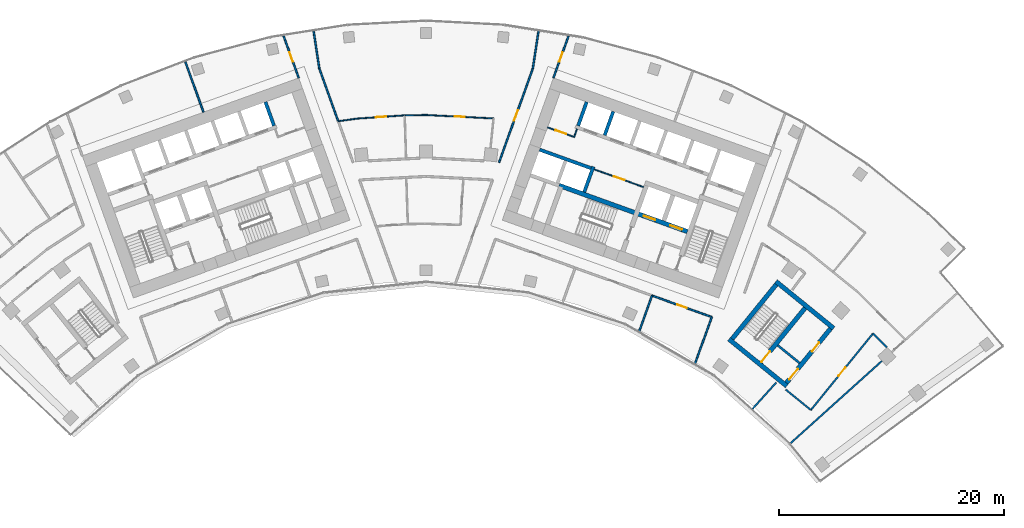
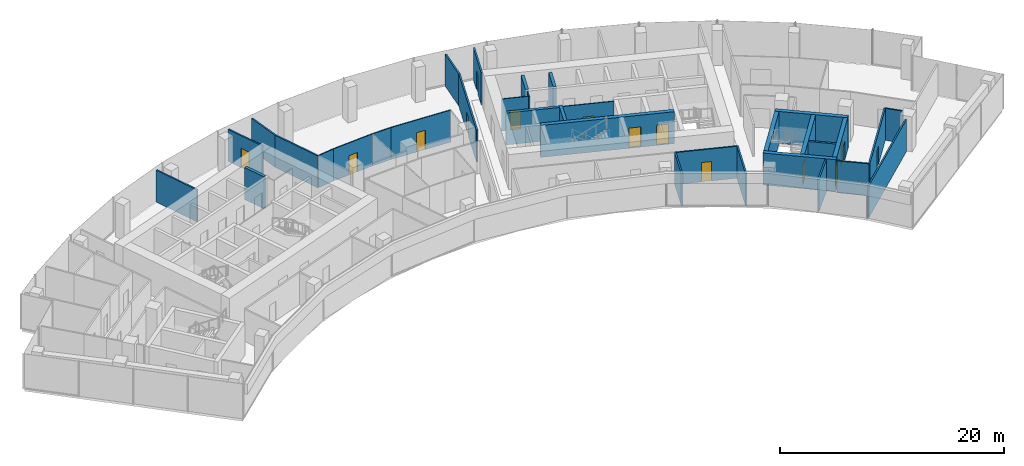
# One storey, part 15 of 19: 34 walls, 14 doors, 14 openings.
"""IFC4 building model written with IfcOpenShell, lengths in metres."""

from ifc_helpers import new_model, si_unit, direction, frame, frame_2d, origin, place, context, subcontext, project, spatial, rectangle, extrude, material, layer, layer_set, type_object, element, fill, save


model = new_model("IFC4")

# Units and contexts
model_context = context("Model", 3, precision=1e-05, world=origin(), true_north=direction((0.0, 1.0)))
body_context = subcontext(model_context, "Body", "Model", "MODEL_VIEW")
ifc_project = project(units=[si_unit("LENGTHUNIT", "METRE"), si_unit("AREAUNIT", "SQUARE_METRE"), si_unit("VOLUMEUNIT", "CUBIC_METRE"), si_unit("PLANEANGLEUNIT", "RADIAN"), si_unit("MASSUNIT", "GRAM", prefix="KILO")], contexts=[model_context])

# Site, building, storey
site_placement = place(None, origin())
site = spatial("IfcSite", under=ifc_project, at=site_placement, CompositionType="ELEMENT")
building_placement = place(site_placement, origin())
building = spatial("IfcBuilding", under=site, at=building_placement, Name="Stone Belt Terrace Tower", CompositionType="ELEMENT")
storey_placement = place(building_placement, frame((0.0, 0.0, 208.60009765625)))
storey = spatial("IfcBuildingStorey", under=building, at=storey_placement, Name="L50", CompositionType="ELEMENT", Elevation=208.60009765625)

# Wall, opening, door
ifc_material_1 = material(Name="Plasterboard partition")
ifc_layer_1 = layer(ifc_material_1, 0.10009765625)
ifc_layer_set_1 = layer_set([ifc_layer_1], Name="Core partition 100")
wall_type_1 = type_object("IfcWallType", Name="Core partition 100", PredefinedType="PARTITIONING", material=ifc_layer_set_1)
wall_1_placement = place(storey_placement, frame((19.29052734375, 51.829833984375, 0.0), z_axis=(0.0, 0.0, 1.0), x_axis=(-0.940930240745, 0.338600475563, 0.0)))
wall_1 = element("IfcWall", 1, at=wall_1_placement, inside=storey, type_object=wall_type_1, Name="Core B wall", PredefinedType="PARTITIONING", context=body_context, shape_type="SweptSolid", body=[
    extrude(rectangle(XDim=4.64990234375, YDim=0.10009765625, at=frame_2d((2.324951171875, 0.0))), origin(), (0.0, 0.0, 1.0), 3.47998046875),
])
opening_1_placement = place(wall_1_placement, frame((1.800048828125, 0.0, 0.0)))
opening_1 = element("IfcOpeningElement", 2, at=opening_1_placement, cuts=wall_1, Name="Opening L50-C13", PredefinedType="OPENING", context=body_context, shape_type="SweptSolid", body=[
    extrude(rectangle(XDim=1.0, YDim=2.10009765625, at=frame_2d((0.5, 1.050048828125))), frame((0.0, 0.06005859375, 0.0), z_axis=(0.0, -1.0, 0.0), x_axis=(1.0, 0.0, 0.0)), (0.0, 0.0, 1.0), 0.1201171875),
])
ifc_material_2 = material(Name="Timber door leaf", Category="wood")
door_type_1 = type_object("IfcDoorType", Name="Core room door 1000", OperationType="SINGLE_SWING_LEFT", PredefinedType="DOOR", material=ifc_material_2)
door_1_placement = place(opening_1_placement, origin())
door_1 = element("IfcDoor", 3, at=door_1_placement, inside=storey, type_object=door_type_1, Name="Door to Telecommunications room core B", OperationType="SINGLE_SWING_LEFT", OverallHeight=2.10009765625, OverallWidth=1.0, PredefinedType="DOOR", context=body_context, shape_type="SweptSolid", body=[
    extrude(rectangle(XDim=1.0, YDim=2.10009765625, at=frame_2d((0.5, 1.050048828125))), frame((0.0, 0.02490234375, 0.0), z_axis=(0.0, -1.0, 0.0), x_axis=(1.0, 0.0, 0.0)), (0.0, 0.0, 1.0), 0.050048828125),
])
fill(opening_1, door_1)

# Wall
wall_2_placement = place(storey_placement, frame((13.115966796875, 56.230712890625, 0.0), z_axis=(0.0, 0.0, 1.0), x_axis=(0.338481684961, 0.940972979923, 0.0)))
element("IfcWall", 4, at=wall_2_placement, inside=storey, type_object=wall_type_1, Name="Core B wall", PredefinedType="PARTITIONING", context=body_context, shape_type="SweptSolid", body=[
    extrude(rectangle(XDim=0.7998046875, YDim=0.10009765625, at=frame_2d((0.39990234375, 0.0))), origin(), (0.0, 0.0, 1.0), 3.47998046875),
])

# Wall, opening, door
wall_3_placement = place(storey_placement, frame((13.085693359375, 56.294677734375, 0.0), z_axis=(0.0, 0.0, 1.0), x_axis=(-0.940922976849, 0.338620660383, 0.0)))
wall_3 = element("IfcWall", 5, at=wall_3_placement, inside=storey, type_object=wall_type_1, Name="Core B wall", PredefinedType="PARTITIONING", context=body_context, shape_type="SweptSolid", body=[
    extrude(rectangle(XDim=2.449951171875, YDim=0.10009765625, at=frame_2d((1.22509765625, 0.0))), origin(), (0.0, 0.0, 1.0), 3.47998046875),
])
opening_2_placement = place(wall_3_placement, frame((0.699951171875, 0.0, 0.0)))
opening_2 = element("IfcOpeningElement", 6, at=opening_2_placement, cuts=wall_3, Name="Opening L50-C12", PredefinedType="OPENING", context=body_context, shape_type="SweptSolid", body=[
    extrude(rectangle(XDim=1.0, YDim=2.10009765625, at=frame_2d((0.5, 1.050048828125))), frame((0.0, 0.06005859375, 0.0), z_axis=(0.0, -1.0, 0.0), x_axis=(1.0, 0.0, 0.0)), (0.0, 0.0, 1.0), 0.1201171875),
])
door_2_placement = place(opening_2_placement, origin())
door_2 = element("IfcDoor", 7, at=door_2_placement, inside=storey, type_object=door_type_1, Name="Door to Staff pantry core B", OperationType="SINGLE_SWING_LEFT", OverallHeight=2.10009765625, OverallWidth=1.0, PredefinedType="DOOR", context=body_context, shape_type="SweptSolid", body=[
    extrude(rectangle(XDim=1.0, YDim=2.10009765625, at=frame_2d((0.5, 1.050048828125))), frame((0.0, 0.02490234375, 0.0), z_axis=(0.0, -1.0, 0.0), x_axis=(1.0, 0.0, 0.0)), (0.0, 0.0, 1.0), 0.050048828125),
])
fill(opening_2, door_2)

# Walls
ifc_material_3 = material(Name="Concrete B80", Category="concrete")
ifc_layer_2 = layer(ifc_material_3, 0.300048828125)
ifc_layer_set_2 = layer_set([ifc_layer_2], Name="Lift shaft wall 300")
wall_type_2 = type_object("IfcWallType", Name="Lift shaft wall 300", PredefinedType="SHEAR", material=ifc_layer_set_2)
wall_4_placement = place(storey_placement, frame((-13.48828125, 57.265625, 0.0), z_axis=(0.0, 0.0, 1.0), x_axis=(-0.338631098537, 0.940919220286, 0.0)))
element("IfcWall", 8, at=wall_4_placement, inside=storey, type_object=wall_type_2, Name="Core A wall", PredefinedType="SHEAR", context=body_context, shape_type="SweptSolid", body=[
    extrude(rectangle(XDim=2.250244140625, YDim=0.300048828125, at=frame_2d((1.125, 0.0))), origin(), (0.0, 0.0, 1.0), 3.47998046875),
])
wall_5_placement = place(storey_placement, frame((14.029052734375, 51.38525390625, 0.0), z_axis=(0.0, 0.0, 1.0), x_axis=(0.338661829791, 0.940908159728, 0.0)))
element("IfcWall", 9, at=wall_5_placement, inside=storey, type_object=wall_type_2, Name="Core B wall", PredefinedType="SHEAR", context=body_context, shape_type="SweptSolid", body=[
    extrude(rectangle(XDim=2.39990234375, YDim=0.300048828125, at=frame_2d((1.199951171875, 0.0))), origin(), (0.0, 0.0, 1.0), 3.47998046875),
])
wall_6_placement = place(storey_placement, frame((14.6328125, 53.506103515625, 0.0), z_axis=(0.0, 0.0, 1.0), x_axis=(-0.940931684323, 0.338596464007, 0.0)))
element("IfcWall", 10, at=wall_6_placement, inside=storey, type_object=wall_type_2, Name="Core B wall", PredefinedType="SHEAR", context=body_context, shape_type="SweptSolid", body=[
    extrude(rectangle(XDim=4.849609375, YDim=0.300048828125, at=frame_2d((2.4248046875, 0.0))), origin(), (0.0, 0.0, 1.0), 3.47998046875),
])
wall_7_placement = place(storey_placement, frame((15.8408203125, 56.419189453125, 0.0), z_axis=(0.0, 0.0, 1.0), x_axis=(0.338569601369, 0.940941350472, 0.0)))
element("IfcWall", 11, at=wall_7_placement, inside=storey, type_object=wall_type_2, Name="Core B wall", PredefinedType="SHEAR", context=body_context, shape_type="SweptSolid", body=[
    extrude(rectangle(XDim=2.249755859375, YDim=0.300048828125, at=frame_2d((1.125, 0.0))), origin(), (0.0, 0.0, 1.0), 3.47998046875),
])
wall_8_placement = place(storey_placement, frame((13.48828125, 57.265625, 0.0), z_axis=(0.0, 0.0, 1.0), x_axis=(0.338631098537, 0.940919220286, 0.0)))
element("IfcWall", 12, at=wall_8_placement, inside=storey, type_object=wall_type_2, Name="Core B wall", PredefinedType="SHEAR", context=body_context, shape_type="SweptSolid", body=[
    extrude(rectangle(XDim=2.250244140625, YDim=0.300048828125, at=frame_2d((1.125, 0.0))), origin(), (0.0, 0.0, 1.0), 3.47998046875),
])

# Wall, opening, door
ifc_material_4 = material(Name="Gypsum board partition")
ifc_layer_3 = layer(ifc_material_4, 0.10009765625)
ifc_layer_set_3 = layer_set([ifc_layer_3], Name="PARTITION 100")
wall_type_3 = type_object("IfcWallType", Name="PARTITION 100", PredefinedType="PARTITIONING", material=ifc_layer_set_3)
wall_9_placement = place(storey_placement, frame((-1.89892578125, 58.194091796875, 0.0), z_axis=(0.0, 0.0, 1.0), x_axis=(-0.997641330362, -0.068642377249, 0.0)))
wall_9 = element("IfcWall", 13, at=wall_9_placement, inside=storey, type_object=wall_type_3, Name="L50/wall/i086", PredefinedType="PARTITIONING", context=body_context, shape_type="SweptSolid", body=[
    extrude(rectangle(XDim=4.197021484375, YDim=0.10009765625, at=frame_2d((2.0986328125, 0.0))), origin(), (0.0, 0.0, 1.0), 3.47998046875),
])
opening_3_placement = place(wall_9_placement, frame((1.6484375, 0.0, 0.0)))
opening_3 = element("IfcOpeningElement", 14, at=opening_3_placement, cuts=wall_9, Name="Opening D-D2-26", PredefinedType="OPENING", context=body_context, shape_type="SweptSolid", body=[
    extrude(rectangle(XDim=0.89990234375, YDim=2.10009765625, at=frame_2d((0.449951171875, 1.050048828125))), frame((0.0, 0.06005859375, 0.0), z_axis=(0.0, -1.0, 0.0), x_axis=(1.0, 0.0, 0.0)), (0.0, 0.0, 1.0), 0.1201171875),
])
door_type_2 = type_object("IfcDoorType", Name="OFFICE DOOR 900 X 2100", OperationType="NOTDEFINED", PredefinedType="DOOR", material=ifc_material_2)
door_3_placement = place(opening_3_placement, origin())
door_3 = element("IfcDoor", 15, at=door_3_placement, inside=storey, type_object=door_type_2, Name="L50/door/i26", OperationType="SINGLE_SWING_RIGHT", OverallHeight=2.10009765625, OverallWidth=0.89990234375, PredefinedType="DOOR", context=body_context, shape_type="SweptSolid", body=[
    extrude(rectangle(XDim=0.89990234375, YDim=2.10009765625, at=frame_2d((0.449951171875, 1.050048828125))), frame((0.0, 0.02490234375, 0.0), z_axis=(0.0, -1.0, 0.0), x_axis=(1.0, 0.0, 0.0)), (0.0, 0.0, 1.0), 0.050048828125),
])
fill(opening_3, door_3)

# Wall
wall_10_placement = place(storey_placement, frame((-6.0859375, 57.906005859375, 0.0), z_axis=(0.0, 0.0, 1.0), x_axis=(-0.990701823522, -0.136051081843, 0.0)))
element("IfcWall", 16, at=wall_10_placement, inside=storey, type_object=wall_type_3, Name="L50/wall/i087", PredefinedType="PARTITIONING", context=body_context, shape_type="SweptSolid", body=[
    extrude(rectangle(XDim=1.718994140625, YDim=0.10009765625, at=frame_2d((0.859375, 0.0))), origin(), (0.0, 0.0, 1.0), 3.47998046875),
])

# Wall, opening, door
wall_11_placement = place(storey_placement, frame((5.98388671875, 57.9169921875, 0.0), z_axis=(0.0, 0.0, 1.0), x_axis=(-0.998677061642, 0.051421071065, 0.0)))
wall_11 = element("IfcWall", 17, at=wall_11_placement, inside=storey, type_object=wall_type_3, Name="L50/wall/i089", PredefinedType="PARTITIONING", context=body_context, shape_type="SweptSolid", body=[
    extrude(rectangle(XDim=5.99169921875, YDim=0.10009765625, at=frame_2d((2.995849609375, 0.0))), origin(), (0.0, 0.0, 1.0), 3.47998046875),
])
opening_4_placement = place(wall_11_placement, frame((2.5458984375, 0.0, 0.0)))
opening_4 = element("IfcOpeningElement", 18, at=opening_4_placement, cuts=wall_11, Name="Opening D-D2-27", PredefinedType="OPENING", context=body_context, shape_type="SweptSolid", body=[
    extrude(rectangle(XDim=0.89990234375, YDim=2.10009765625, at=frame_2d((0.449951171875, 1.050048828125))), frame((0.0, 0.06005859375, 0.0), z_axis=(0.0, -1.0, 0.0), x_axis=(1.0, 0.0, 0.0)), (0.0, 0.0, 1.0), 0.1201171875),
])
door_4_placement = place(opening_4_placement, origin())
door_4 = element("IfcDoor", 19, at=door_4_placement, inside=storey, type_object=door_type_2, Name="L50/door/i27", OperationType="SINGLE_SWING_RIGHT", OverallHeight=2.10009765625, OverallWidth=0.89990234375, PredefinedType="DOOR", context=body_context, shape_type="SweptSolid", body=[
    extrude(rectangle(XDim=0.89990234375, YDim=2.10009765625, at=frame_2d((0.449951171875, 1.050048828125))), frame((0.0, 0.02490234375, 0.0), z_axis=(0.0, -1.0, 0.0), x_axis=(1.0, 0.0, 0.0)), (0.0, 0.0, 1.0), 0.050048828125),
])
fill(opening_4, door_4)

# Wall
wall_12_placement = place(storey_placement, frame((0.0, 58.22509765625, 0.0), z_axis=(0.0, 0.0, 1.0), x_axis=(-0.999866723144, -0.016325928753, 0.0)))
element("IfcWall", 20, at=wall_12_placement, inside=storey, type_object=wall_type_3, Name="L50/wall/i090", PredefinedType="PARTITIONING", context=body_context, shape_type="SweptSolid", body=[
    extrude(rectangle(XDim=1.899169921875, YDim=0.10009765625, at=frame_2d((0.94970703125, 0.0))), origin(), (0.0, 0.0, 1.0), 3.47998046875),
])

# Wall, opening, door
ifc_layer_4 = layer(ifc_material_4, 0.14990234375)
ifc_layer_set_4 = layer_set([ifc_layer_4], Name="PARTITION 150 EI 60")
wall_type_4 = type_object("IfcWallType", Name="PARTITION 150 EI 60", PredefinedType="PARTITIONING", material=ifc_layer_set_4)
wall_13_placement = place(storey_placement, frame((-11.2958984375, 61.509033203125, 0.0), z_axis=(0.0, 0.0, 1.0), x_axis=(-0.338610223579, 0.940926732795, 0.0)))
wall_13 = element("IfcWall", 21, at=wall_13_placement, inside=storey, type_object=wall_type_4, Name="L50/wall/i009", PredefinedType="PARTITIONING", context=body_context, shape_type="SweptSolid", body=[
    extrude(rectangle(XDim=3.956787109375, YDim=0.14990234375, at=frame_2d((1.978515625, 0.0))), origin(), (0.0, 0.0, 1.0), 3.47998046875),
])
opening_5_placement = place(wall_13_placement, frame((1.5283203125, 0.0, 0.0)))
opening_5 = element("IfcOpeningElement", 22, at=opening_5_placement, cuts=wall_13, Name="Opening D-D2-05", PredefinedType="OPENING", context=body_context, shape_type="SweptSolid", body=[
    extrude(rectangle(XDim=0.89990234375, YDim=2.10009765625, at=frame_2d((0.449951171875, 1.050048828125))), frame((0.0, 0.0849609375, 0.0), z_axis=(0.0, -1.0, 0.0), x_axis=(1.0, 0.0, 0.0)), (0.0, 0.0, 1.0), 0.169921875),
])
door_5_placement = place(opening_5_placement, origin())
door_5 = element("IfcDoor", 23, at=door_5_placement, inside=storey, type_object=door_type_2, Name="L50/door/i05", OperationType="SINGLE_SWING_RIGHT", OverallHeight=2.10009765625, OverallWidth=0.89990234375, PredefinedType="DOOR", context=body_context, shape_type="SweptSolid", body=[
    extrude(rectangle(XDim=0.89990234375, YDim=2.10009765625, at=frame_2d((0.449951171875, 1.050048828125))), frame((0.0, 0.02490234375, 0.0), z_axis=(0.0, -1.0, 0.0), x_axis=(1.0, 0.0, 0.0)), (0.0, 0.0, 1.0), 0.050048828125),
])
fill(opening_5, door_5)

# Walls
wall_14_placement = place(storey_placement, frame((-9.971923828125, 65.65576171875, 0.0), z_axis=(0.0, 0.0, 1.0), x_axis=(0.150154488208, -0.988662545903, 0.0)))
element("IfcWall", 24, at=wall_14_placement, inside=storey, type_object=wall_type_4, Name="L50/wall/i012", PredefinedType="PARTITIONING", context=body_context, shape_type="SweptSolid", body=[
    extrude(rectangle(XDim=3.35595703125, YDim=0.14990234375, at=frame_2d((1.677978515625, 0.0))), origin(), (0.0, 0.0, 1.0), 3.47998046875),
])
wall_15_placement = place(storey_placement, frame((-9.468017578125, 62.3369140625, 0.0), z_axis=(0.0, 0.0, 1.0), x_axis=(0.338609749615, -0.94092690336, 0.0)))
element("IfcWall", 25, at=wall_15_placement, inside=storey, type_object=wall_type_4, Name="L50/wall/i013", PredefinedType="PARTITIONING", context=body_context, shape_type="SweptSolid", body=[
    extrude(rectangle(XDim=4.964111328125, YDim=0.14990234375, at=frame_2d((2.48193359375, 0.0))), origin(), (0.0, 0.0, 1.0), 3.47998046875),
])
wall_16_placement = place(storey_placement, frame((-21.347900390625, 62.939208984375, 0.0), z_axis=(0.0, 0.0, 1.0), x_axis=(0.338530164173, -0.940955539834, 0.0)))
element("IfcWall", 26, at=wall_16_placement, inside=storey, type_object=wall_type_4, Name="L50/wall/i021", PredefinedType="PARTITIONING", context=body_context, shape_type="SweptSolid", body=[
    extrude(rectangle(XDim=4.749755859375, YDim=0.14990234375, at=frame_2d((2.375, 0.0))), origin(), (0.0, 0.0, 1.0), 3.47998046875),
])

# Wall, opening, door
wall_17_placement = place(storey_placement, frame((12.6357421875, 65.232177734375, 0.0), z_axis=(0.0, 0.0, 1.0), x_axis=(-0.338610223579, -0.940926732795, 0.0)))
wall_17 = element("IfcWall", 27, at=wall_17_placement, inside=storey, type_object=wall_type_4, Name="L50/wall/i023", PredefinedType="PARTITIONING", context=body_context, shape_type="SweptSolid", body=[
    extrude(rectangle(XDim=3.956787109375, YDim=0.14990234375, at=frame_2d((1.978515625, 0.0))), origin(), (0.0, 0.0, 1.0), 3.47998046875),
])
opening_6_placement = place(wall_17_placement, frame((1.5283203125, 0.0, 0.0)))
opening_6 = element("IfcOpeningElement", 28, at=opening_6_placement, cuts=wall_17, Name="Opening D-D2-09", PredefinedType="OPENING", context=body_context, shape_type="SweptSolid", body=[
    extrude(rectangle(XDim=0.89990234375, YDim=2.10009765625, at=frame_2d((0.449951171875, 1.050048828125))), frame((0.0, 0.0849609375, 0.0), z_axis=(0.0, -1.0, 0.0), x_axis=(1.0, 0.0, 0.0)), (0.0, 0.0, 1.0), 0.169921875),
])
door_6_placement = place(opening_6_placement, origin())
door_6 = element("IfcDoor", 29, at=door_6_placement, inside=storey, type_object=door_type_2, Name="L50/door/i09", OperationType="SINGLE_SWING_RIGHT", OverallHeight=2.10009765625, OverallWidth=0.89990234375, PredefinedType="DOOR", context=body_context, shape_type="SweptSolid", body=[
    extrude(rectangle(XDim=0.89990234375, YDim=2.10009765625, at=frame_2d((0.449951171875, 1.050048828125))), frame((0.0, 0.02490234375, 0.0), z_axis=(0.0, -1.0, 0.0), x_axis=(1.0, 0.0, 0.0)), (0.0, 0.0, 1.0), 0.050048828125),
])
fill(opening_6, door_6)

wall_18_placement = place(storey_placement, frame((6.47509765625, 54.02001953125, 0.0), z_axis=(0.0, 0.0, 1.0), x_axis=(0.338603075024, 0.940929305307, 0.0)))
wall_18 = element("IfcWall", 30, at=wall_18_placement, inside=storey, type_object=wall_type_4, Name="L50/wall/i025", PredefinedType="PARTITIONING", context=body_context, shape_type="SweptSolid", body=[
    extrude(rectangle(XDim=8.839111328125, YDim=0.14990234375, at=frame_2d((4.41943359375, 0.0))), origin(), (0.0, 0.0, 1.0), 3.47998046875),
])
opening_7_placement = place(wall_18_placement, frame((3.919677734375, 0.0, 0.0)))
opening_7 = element("IfcOpeningElement", 31, at=opening_7_placement, cuts=wall_18, Name="Opening D-D2-25", PredefinedType="OPENING", context=body_context, shape_type="SweptSolid", body=[
    extrude(rectangle(XDim=1.0, YDim=2.10009765625, at=frame_2d((0.5, 1.050048828125))), frame((0.0, 0.0849609375, 0.0), z_axis=(0.0, -1.0, 0.0), x_axis=(1.0, 0.0, 0.0)), (0.0, 0.0, 1.0), 0.169921875),
])
ifc_material_5 = material(Name="Timber fire door leaf", Category="wood")
door_type_3 = type_object("IfcDoorType", Name="TENANCY ENTRANCE DOOR 1000 X 2100", OperationType="NOTDEFINED", PredefinedType="DOOR", material=ifc_material_5)
door_7_placement = place(opening_7_placement, origin())
door_7 = element("IfcDoor", 32, at=door_7_placement, inside=storey, type_object=door_type_3, Name="L50/door/i25", OperationType="SINGLE_SWING_RIGHT", OverallHeight=2.10009765625, OverallWidth=1.0, PredefinedType="DOOR", context=body_context, shape_type="SweptSolid", body=[
    extrude(rectangle(XDim=1.0, YDim=2.10009765625, at=frame_2d((0.5, 1.050048828125))), frame((0.0, 0.02490234375, 0.0), z_axis=(0.0, -1.0, 0.0), x_axis=(1.0, 0.0, 0.0)), (0.0, 0.0, 1.0), 0.050048828125),
])
fill(opening_7, door_7)

# Walls
wall_19_placement = place(storey_placement, frame((9.468017578125, 62.337890625, 0.0), z_axis=(0.0, 0.0, 1.0), x_axis=(0.150154488208, 0.988662545903, 0.0)))
element("IfcWall", 33, at=wall_19_placement, inside=storey, type_object=wall_type_4, Name="L50/wall/i026", PredefinedType="PARTITIONING", context=body_context, shape_type="SweptSolid", body=[
    extrude(rectangle(XDim=3.35595703125, YDim=0.14990234375, at=frame_2d((1.677978515625, 0.0))), origin(), (0.0, 0.0, 1.0), 3.47998046875),
])
wall_20_placement = place(storey_placement, frame((23.860107421875, 36.1787109375, 0.0), z_axis=(0.0, 0.0, 1.0), x_axis=(0.338603151709, 0.94092927771, 0.0)))
element("IfcWall", 34, at=wall_20_placement, inside=storey, type_object=wall_type_4, Name="L50/wall/i027", PredefinedType="PARTITIONING", context=body_context, shape_type="SweptSolid", body=[
    extrude(rectangle(XDim=4.38525390625, YDim=0.14990234375, at=frame_2d((2.192626953125, 0.0))), origin(), (0.0, 0.0, 1.0), 3.47998046875),
])
wall_21_placement = place(storey_placement, frame((31.054931640625, 34.489990234375, 0.0), z_axis=(0.0, 0.0, 1.0), x_axis=(-0.669118910745, -0.743155356089, 0.0)))
element("IfcWall", 35, at=wall_21_placement, inside=storey, type_object=wall_type_4, Name="L50/wall/i030", PredefinedType="PARTITIONING", context=body_context, shape_type="SweptSolid", body=[
    extrude(rectangle(XDim=3.149169921875, YDim=0.14990234375, at=frame_2d((1.57470703125, 0.0))), origin(), (0.0, 0.0, 1.0), 3.47998046875),
])

# Wall, opening, door
wall_22_placement = place(storey_placement, frame((25.343017578125, 40.299072265625, 0.0), z_axis=(0.0, 0.0, 1.0), x_axis=(-0.94095472918, 0.338532417405, 0.0)))
wall_22 = element("IfcWall", 36, at=wall_22_placement, inside=storey, type_object=wall_type_4, Name="L50/wall/i035", PredefinedType="PARTITIONING", context=body_context, shape_type="SweptSolid", body=[
    extrude(rectangle(XDim=5.638916015625, YDim=0.14990234375, at=frame_2d((2.8193359375, 0.0))), origin(), (0.0, 0.0, 1.0), 3.47998046875),
])
opening_8_placement = place(wall_22_placement, frame((2.369384765625, 0.0, 0.0)))
opening_8 = element("IfcOpeningElement", 37, at=opening_8_placement, cuts=wall_22, Name="Opening D-D2-08", PredefinedType="OPENING", context=body_context, shape_type="SweptSolid", body=[
    extrude(rectangle(XDim=0.89990234375, YDim=2.10009765625, at=frame_2d((0.449951171875, 1.050048828125))), frame((0.0, 0.0849609375, 0.0), z_axis=(0.0, -1.0, 0.0), x_axis=(1.0, 0.0, 0.0)), (0.0, 0.0, 1.0), 0.169921875),
])
door_8_placement = place(opening_8_placement, origin())
door_8 = element("IfcDoor", 38, at=door_8_placement, inside=storey, type_object=door_type_2, Name="L50/door/i08", OperationType="SINGLE_SWING_RIGHT", OverallHeight=2.10009765625, OverallWidth=0.89990234375, PredefinedType="DOOR", context=body_context, shape_type="SweptSolid", body=[
    extrude(rectangle(XDim=0.89990234375, YDim=2.10009765625, at=frame_2d((0.449951171875, 1.050048828125))), frame((0.0, 0.02490234375, 0.0), z_axis=(0.0, -1.0, 0.0), x_axis=(1.0, 0.0, 0.0)), (0.0, 0.0, 1.0), 0.050048828125),
])
fill(opening_8, door_8)

# Walls
wall_23_placement = place(storey_placement, frame((20.04296875, 42.2060546875, 0.0), z_axis=(0.0, 0.0, 1.0), x_axis=(-0.338583278886, -0.940936428915, 0.0)))
element("IfcWall", 39, at=wall_23_placement, inside=storey, type_object=wall_type_4, Name="L50/wall/i037", PredefinedType="PARTITIONING", context=body_context, shape_type="SweptSolid", body=[
    extrude(rectangle(XDim=3.364501953125, YDim=0.14990234375, at=frame_2d((1.68212890625, 0.0))), origin(), (0.0, 0.0, 1.0), 3.47998046875),
])
wall_24_placement = place(storey_placement, frame((32.32666015625, 29.107177734375, 0.0), z_axis=(0.0, 0.0, 1.0), x_axis=(0.743123646352, 0.669154127412, 0.0)))
element("IfcWall", 40, at=wall_24_placement, inside=storey, type_object=wall_type_4, Name="L50/wall/i057", PredefinedType="PARTITIONING", context=body_context, shape_type="SweptSolid", body=[
    extrude(rectangle(XDim=10.89501953125, YDim=0.14990234375, at=frame_2d((5.447509765625, 0.0))), origin(), (0.0, 0.0, 1.0), 3.47998046875),
])
wall_25_placement = place(storey_placement, frame((40.871826171875, 37.615234375, 0.0), z_axis=(0.0, 0.0, 1.0), x_axis=(-0.707176795224, 0.707036760216, 0.0)))
element("IfcWall", 41, at=wall_25_placement, inside=storey, type_object=wall_type_4, Name="L50/wall/i062", PredefinedType="PARTITIONING", context=body_context, shape_type="SweptSolid", body=[
    extrude(rectangle(XDim=1.743408203125, YDim=0.14990234375, at=frame_2d((0.87158203125, 0.0))), origin(), (0.0, 0.0, 1.0), 3.47998046875),
])

# Wall, opening, door
wall_26_placement = place(storey_placement, frame((39.64306640625, 38.843994140625, 0.0), z_axis=(0.0, 0.0, 1.0), x_axis=(-0.630226712005, -0.776411161354, 0.0)))
wall_26 = element("IfcWall", 42, at=wall_26_placement, inside=storey, type_object=wall_type_4, Name="L50/wall/i067", PredefinedType="PARTITIONING", context=body_context, shape_type="SweptSolid", body=[
    extrude(rectangle(XDim=8.742919921875, YDim=0.14990234375, at=frame_2d((4.37158203125, 0.0))), origin(), (0.0, 0.0, 1.0), 3.47998046875),
])
opening_9_placement = place(wall_26_placement, frame((3.871337890625, 0.0, 0.0)))
opening_9 = element("IfcOpeningElement", 43, at=opening_9_placement, cuts=wall_26, Name="Opening D-D2-19", PredefinedType="OPENING", context=body_context, shape_type="SweptSolid", body=[
    extrude(rectangle(XDim=1.0, YDim=2.10009765625, at=frame_2d((0.5, 1.050048828125))), frame((0.0, 0.0849609375, 0.0), z_axis=(0.0, -1.0, 0.0), x_axis=(1.0, 0.0, 0.0)), (0.0, 0.0, 1.0), 0.169921875),
])
door_9_placement = place(opening_9_placement, origin())
door_9 = element("IfcDoor", 44, at=door_9_placement, inside=storey, type_object=door_type_3, Name="L50/door/i19", OperationType="SINGLE_SWING_RIGHT", OverallHeight=2.10009765625, OverallWidth=1.0, PredefinedType="DOOR", context=body_context, shape_type="SweptSolid", body=[
    extrude(rectangle(XDim=1.0, YDim=2.10009765625, at=frame_2d((0.5, 1.050048828125))), frame((0.0, 0.02490234375, 0.0), z_axis=(0.0, -1.0, 0.0), x_axis=(1.0, 0.0, 0.0)), (0.0, 0.0, 1.0), 0.050048828125),
])
fill(opening_9, door_9)

# Walls
wall_27_placement = place(storey_placement, frame((34.133056640625, 32.055908203125, 0.0), z_axis=(0.0, 0.0, 1.0), x_axis=(-0.776369956068, 0.630277471686, 0.0)))
element("IfcWall", 45, at=wall_27_placement, inside=storey, type_object=wall_type_4, Name="L50/wall/i068", PredefinedType="PARTITIONING", context=body_context, shape_type="SweptSolid", body=[
    extrude(rectangle(XDim=2.8876953125, YDim=0.14990234375, at=frame_2d((1.44384765625, 0.0))), origin(), (0.0, 0.0, 1.0), 3.47998046875),
])
ifc_material_6 = material(Name="Concrete masonry block", Category="masonry")
ifc_layer_5 = layer(ifc_material_6, 0.199951171875)
ifc_layer_set_5 = layer_set([ifc_layer_5], Name="Rated lobby wall 200")
wall_type_5 = type_object("IfcWallType", Name="Rated lobby wall 200", PredefinedType="PARTITIONING", material=ifc_layer_set_5)
wall_28_placement = place(storey_placement, frame((31.190673828125, 37.79296875, 0.0), z_axis=(0.0, 0.0, 1.0), x_axis=(0.776370830301, -0.630276394813, 0.0)))
element("IfcWall", 46, at=wall_28_placement, inside=storey, type_object=wall_type_5, Name="Exit stair ST3B wall", PredefinedType="PARTITIONING", context=body_context, shape_type="SweptSolid", body=[
    extrude(rectangle(XDim=2.5, YDim=0.199951171875, at=frame_2d((1.25, 0.0))), origin(), (0.0, 0.0, 1.0), 3.47998046875),
])

# Wall, openings, doors
ifc_layer_6 = layer(ifc_material_3, 0.39990234375)
ifc_layer_set_6 = layer_set([ifc_layer_6], Name="Stair enclosure wall 400")
wall_type_6 = type_object("IfcWallType", Name="Stair enclosure wall 400", PredefinedType="SHEAR", material=ifc_layer_set_6)
wall_29_placement = place(storey_placement, frame((23.182373046875, 47.87841796875, 0.0), z_axis=(0.0, 0.0, 1.0), x_axis=(-0.940921101762, 0.338625870628, 0.0)))
wall_29 = element("IfcWall", 47, at=wall_29_placement, inside=storey, type_object=wall_type_6, Name="Core B wall", PredefinedType="SHEAR", context=body_context, shape_type="SweptSolid", body=[
    extrude(rectangle(XDim=12.10009765625, YDim=0.39990234375, at=frame_2d((6.050048828125, 0.0))), origin(), (0.0, 0.0, 1.0), 3.47998046875),
])
opening_10_placement = place(wall_29_placement, frame((0.52001953125, 0.0, 0.0)))
opening_10 = element("IfcOpeningElement", 48, at=opening_10_placement, cuts=wall_29, Name="Opening L50-LD14", PredefinedType="OPENING", context=body_context, shape_type="SweptSolid", body=[
    extrude(rectangle(XDim=1.10009765625, YDim=2.199951171875, at=frame_2d((0.550048828125, 1.10009765625))), frame((0.0, 0.2099609375, 0.0), z_axis=(0.0, -1.0, 0.0), x_axis=(1.0, 0.0, 0.0)), (0.0, 0.0, 1.0), 0.419921875),
])
opening_11_placement = place(wall_29_placement, frame((3.02001953125, 0.0, 0.0)))
opening_11 = element("IfcOpeningElement", 49, at=opening_11_placement, cuts=wall_29, Name="Opening L50-LD15", PredefinedType="OPENING", context=body_context, shape_type="SweptSolid", body=[
    extrude(rectangle(XDim=1.10009765625, YDim=2.199951171875, at=frame_2d((0.550048828125, 1.10009765625))), frame((0.0, 0.2099609375, 0.0), z_axis=(0.0, -1.0, 0.0), x_axis=(1.0, 0.0, 0.0)), (0.0, 0.0, 1.0), 0.419921875),
])
ifc_material_7 = material(Name="Stainless steel door leaf", Category="steel")
door_type_4 = type_object("IfcDoorType", Name="Landing door 1100", OperationType="SLIDING_TO_LEFT", PredefinedType="DOOR", material=ifc_material_7)
door_10_placement = place(opening_10_placement, origin())
door_10 = element("IfcDoor", 50, at=door_10_placement, inside=storey, type_object=door_type_4, Name="Landing door FF1 core B", OperationType="SLIDING_TO_LEFT", OverallHeight=2.199951171875, OverallWidth=1.10009765625, PredefinedType="DOOR", context=body_context, shape_type="SweptSolid", body=[
    extrude(rectangle(XDim=1.10009765625, YDim=2.199951171875, at=frame_2d((0.550048828125, 1.10009765625))), frame((0.0, 0.02490234375, 0.0), z_axis=(0.0, -1.0, 0.0), x_axis=(1.0, 0.0, 0.0)), (0.0, 0.0, 1.0), 0.050048828125),
])
fill(opening_10, door_10)
door_11_placement = place(opening_11_placement, origin())
door_11 = element("IfcDoor", 51, at=door_11_placement, inside=storey, type_object=door_type_4, Name="Landing door FF2 core B", OperationType="SLIDING_TO_LEFT", OverallHeight=2.199951171875, OverallWidth=1.10009765625, PredefinedType="DOOR", context=body_context, shape_type="SweptSolid", body=[
    extrude(rectangle(XDim=1.10009765625, YDim=2.199951171875, at=frame_2d((0.550048828125, 1.10009765625))), frame((0.0, 0.02490234375, 0.0), z_axis=(0.0, -1.0, 0.0), x_axis=(1.0, 0.0, 0.0)), (0.0, 0.0, 1.0), 0.050048828125),
])
fill(opening_11, door_11)

# Walls
wall_30_placement = place(storey_placement, frame((26.868408203125, 38.3388671875, 0.0), z_axis=(0.0, 0.0, 1.0), x_axis=(0.776428452498, -0.630205409491, 0.0)))
element("IfcWall", 52, at=wall_30_placement, inside=storey, type_object=wall_type_6, Name="Exit stair ST3B wall", PredefinedType="SHEAR", context=body_context, shape_type="SweptSolid", body=[
    extrude(rectangle(XDim=6.60009765625, YDim=0.39990234375, at=frame_2d((3.300048828125, 0.0))), origin(), (0.0, 0.0, 1.0), 3.47998046875),
])
wall_31_placement = place(storey_placement, frame((31.02783203125, 43.46337890625, 0.0), z_axis=(0.0, 0.0, 1.0), x_axis=(0.776413760801, -0.630223509589, 0.0)))
element("IfcWall", 53, at=wall_31_placement, inside=storey, type_object=wall_type_6, Name="Exit stair ST3B wall", PredefinedType="SHEAR", context=body_context, shape_type="SweptSolid", body=[
    extrude(rectangle(XDim=6.599853515625, YDim=0.39990234375, at=frame_2d((3.2998046875, 0.0))), origin(), (0.0, 0.0, 1.0), 3.47998046875),
])
wall_32_placement = place(storey_placement, frame((27.149658203125, 38.3681640625, 0.0), z_axis=(0.0, 0.0, 1.0), x_axis=(0.630211551729, 0.776423466973, 0.0)))
element("IfcWall", 54, at=wall_32_placement, inside=storey, type_object=wall_type_6, Name="Exit stair ST3B wall", PredefinedType="SHEAR", context=body_context, shape_type="SweptSolid", body=[
    extrude(rectangle(XDim=6.199951171875, YDim=0.39990234375, at=frame_2d((3.10009765625, 0.0))), origin(), (0.0, 0.0, 1.0), 3.47998046875),
])

# Wall, openings, doors
wall_33_placement = place(storey_placement, frame((31.963623046875, 34.460693359375, 0.0), z_axis=(0.0, 0.0, 1.0), x_axis=(0.630192283849, 0.776439106033, 0.0)))
wall_33 = element("IfcWall", 55, at=wall_33_placement, inside=storey, type_object=wall_type_6, Name="Exit stair ST3B wall", PredefinedType="SHEAR", context=body_context, shape_type="SweptSolid", body=[
    extrude(rectangle(XDim=6.199951171875, YDim=0.39990234375, at=frame_2d((3.10009765625, 0.0))), origin(), (0.0, 0.0, 1.0), 3.47998046875),
])
opening_12_placement = place(wall_33_placement, frame((0.39990234375, 0.0, 0.0)))
opening_12 = element("IfcOpeningElement", 56, at=opening_12_placement, cuts=wall_33, Name="Opening L50-C27", PredefinedType="OPENING", context=body_context, shape_type="SweptSolid", body=[
    extrude(rectangle(XDim=1.199951171875, YDim=2.10009765625, at=frame_2d((0.60009765625, 1.050048828125))), frame((0.0, 0.2099609375, 0.0), z_axis=(0.0, -1.0, 0.0), x_axis=(1.0, 0.0, 0.0)), (0.0, 0.0, 1.0), 0.419921875),
])
opening_13_placement = place(wall_33_placement, frame((3.60009765625, 0.0, 0.0)))
opening_13 = element("IfcOpeningElement", 57, at=opening_13_placement, cuts=wall_33, Name="Opening L50-C28", PredefinedType="OPENING", context=body_context, shape_type="SweptSolid", body=[
    extrude(rectangle(XDim=1.0, YDim=2.10009765625, at=frame_2d((0.5, 1.050048828125))), frame((0.0, 0.2099609375, 0.0), z_axis=(0.0, -1.0, 0.0), x_axis=(1.0, 0.0, 0.0)), (0.0, 0.0, 1.0), 0.419921875),
])
door_12_placement = place(opening_13_placement, origin())
door_12 = element("IfcDoor", 58, at=door_12_placement, inside=storey, type_object=door_type_1, Name="Door to stair pressurisation plant room ST3B", OperationType="SINGLE_SWING_RIGHT", OverallHeight=2.10009765625, OverallWidth=1.0, PredefinedType="DOOR", context=body_context, shape_type="SweptSolid", body=[
    extrude(rectangle(XDim=1.0, YDim=2.10009765625, at=frame_2d((0.5, 1.050048828125))), frame((0.0, 0.02490234375, 0.0), z_axis=(0.0, -1.0, 0.0), x_axis=(1.0, 0.0, 0.0)), (0.0, 0.0, 1.0), 0.050048828125),
])
fill(opening_13, door_12)
ifc_material_8 = material(Name="Steel door leaf", Category="steel")
door_type_5 = type_object("IfcDoorType", Name="Stair airlock door 1200", OperationType="SINGLE_SWING_LEFT", PredefinedType="DOOR", material=ifc_material_8)
door_13_placement = place(opening_12_placement, origin())
door_13 = element("IfcDoor", 59, at=door_13_placement, inside=storey, type_object=door_type_5, Name="Stair airlock door ST3B", OperationType="SINGLE_SWING_RIGHT", OverallHeight=2.10009765625, OverallWidth=1.199951171875, PredefinedType="DOOR", context=body_context, shape_type="SweptSolid", body=[
    extrude(rectangle(XDim=1.199951171875, YDim=2.10009765625, at=frame_2d((0.60009765625, 1.050048828125))), frame((0.0, 0.02490234375, 0.0), z_axis=(0.0, -1.0, 0.0), x_axis=(1.0, 0.0, 0.0)), (0.0, 0.0, 1.0), 0.050048828125),
])
fill(opening_12, door_13)

# Wall, opening, door
wall_34_placement = place(storey_placement, frame((29.7119140625, 36.288330078125, 0.0), z_axis=(0.0, 0.0, 1.0), x_axis=(0.630192283849, 0.776439106033, 0.0)))
wall_34 = element("IfcWall", 60, at=wall_34_placement, inside=storey, type_object=wall_type_6, Name="Exit stair ST3B wall", PredefinedType="SHEAR", context=body_context, shape_type="SweptSolid", body=[
    extrude(rectangle(XDim=6.199951171875, YDim=0.39990234375, at=frame_2d((3.10009765625, 0.0))), origin(), (0.0, 0.0, 1.0), 3.47998046875),
])
opening_14_placement = place(wall_34_placement, frame((0.050048828125, 0.0, 0.0)))
opening_14 = element("IfcOpeningElement", 61, at=opening_14_placement, cuts=wall_34, Name="Opening L50-C26", PredefinedType="OPENING", context=body_context, shape_type="SweptSolid", body=[
    extrude(rectangle(XDim=1.199951171875, YDim=2.10009765625, at=frame_2d((0.60009765625, 1.050048828125))), frame((0.0, 0.2099609375, 0.0), z_axis=(0.0, -1.0, 0.0), x_axis=(1.0, 0.0, 0.0)), (0.0, 0.0, 1.0), 0.419921875),
])
door_type_6 = type_object("IfcDoorType", Name="Stair door 1200", OperationType="SINGLE_SWING_LEFT", PredefinedType="DOOR", material=ifc_material_8)
door_14_placement = place(opening_14_placement, origin())
door_14 = element("IfcDoor", 62, at=door_14_placement, inside=storey, type_object=door_type_6, Name="Stair door ST3B", OperationType="SINGLE_SWING_LEFT", OverallHeight=2.10009765625, OverallWidth=1.199951171875, PredefinedType="DOOR", context=body_context, shape_type="SweptSolid", body=[
    extrude(rectangle(XDim=1.199951171875, YDim=2.10009765625, at=frame_2d((0.60009765625, 1.050048828125))), frame((0.0, 0.02490234375, 0.0), z_axis=(0.0, -1.0, 0.0), x_axis=(1.0, 0.0, 0.0)), (0.0, 0.0, 1.0), 0.050048828125),
])
fill(opening_14, door_14)

save(model, "model.ifc")
